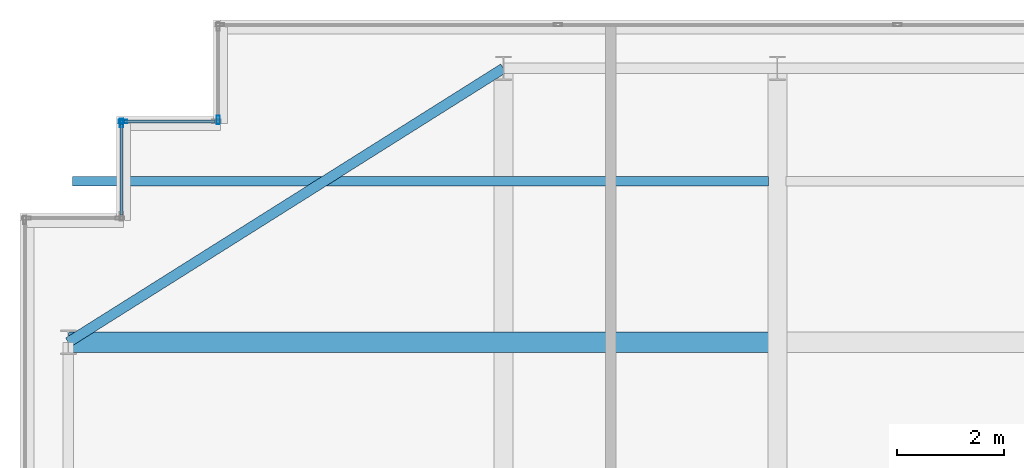
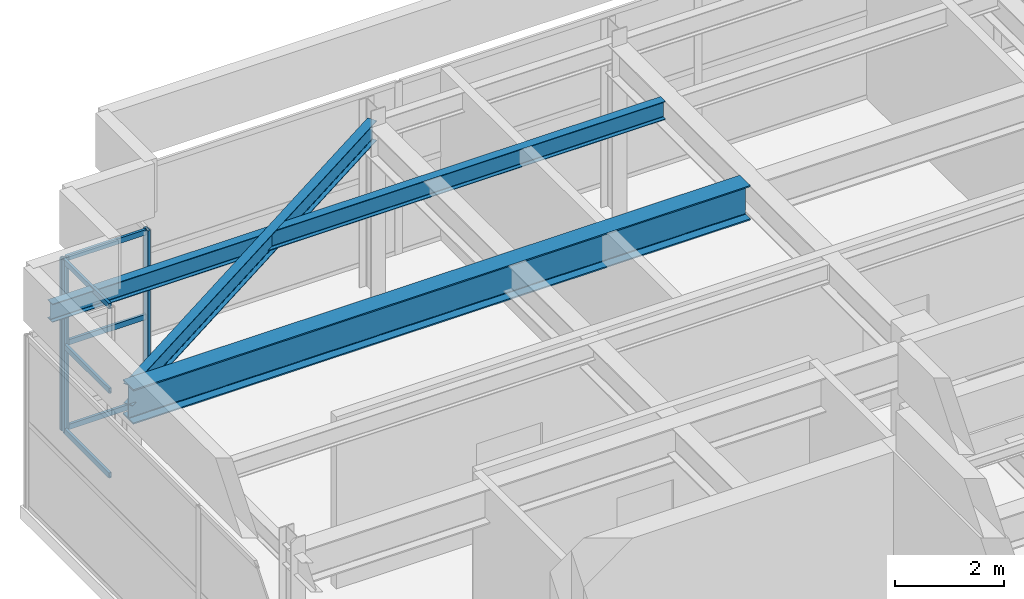
# One storey, part 21 of 33: 9 members, 3 beams, 3 elements without a shape of their own.
"""IFC4 building model written with IfcOpenShell, lengths in metres."""

from ifc_helpers import new_model, si_unit, direction, frame, origin, origin_2d, place, context, subcontext, project, spatial, hollow_rectangle, i_section, extrude, source, transform, mapped, material, layer, layer_set, material_profile, profile_set, type_object, element, aggregate, save


model = new_model("IFC4")

# Units and contexts
model_context = context("Model", 3, precision=1e-05, world=origin(), true_north=direction((0.0, 1.0)))
body_context = subcontext(model_context, "Body", "Model", "MODEL_VIEW")
ifc_project = project(units=[si_unit("LENGTHUNIT", "METRE"), si_unit("AREAUNIT", "SQUARE_METRE"), si_unit("VOLUMEUNIT", "CUBIC_METRE"), si_unit("PLANEANGLEUNIT", "RADIAN"), si_unit("MASSUNIT", "GRAM", prefix="KILO")], contexts=[model_context])

# Site, building, storey
site_placement = place(None, origin())
site = spatial("IfcSite", under=ifc_project, at=site_placement, CompositionType="ELEMENT")
building_placement = place(site_placement, origin())
building = spatial("IfcBuilding", under=site, at=building_placement, Name="Khoralis Quay Care Tower", CompositionType="ELEMENT")
storey_placement = place(building_placement, frame((0.0, 0.0, 314.699951171875)))
storey = spatial("IfcBuildingStorey", under=building, at=storey_placement, Name="L82", CompositionType="ELEMENT", Elevation=314.699951171875)

# Beams
ifc_material_1 = material(Name="Steel S355", Category="steel")
ifc_material_profile_1 = material_profile(ifc_material_1, i_section(OverallWidth=0.18994140625, OverallDepth=0.449951171875, WebThickness=0.009521484375, FlangeThickness=0.0146484375, FilletRadius=0.02099609375, at=origin_2d()), Name="Steel S355")
ifc_profile_set_1 = profile_set([ifc_material_profile_1], Name="Steel S355")
beam_type_1 = type_object("IfcBeamType", Name="BM-IPE450", PredefinedType="SPANDREL", material=ifc_profile_set_1)
shared_shape_1 = source(origin(), body_context, "Body", "SweptSolid", [
    extrude(i_section(OverallWidth=0.18994140625, OverallDepth=0.449951171875, WebThickness=0.009521484375, FlangeThickness=0.0146484375, FilletRadius=0.02099609375, at=origin_2d()), origin(), (0.0, 0.0, 1.0), 9.572021484375),
])
beam_1_placement = place(storey_placement, frame((12.0, 41.10009765625, 3.614990234375), z_axis=(-0.846231136359, -0.532815975602, 0.0), x_axis=(0.532815975602, -0.846231136359, 0.0)))
element("IfcBeam", 1, at=beam_1_placement, inside=storey, type_object=beam_type_1, Name="BM-TCR-L82-19", PredefinedType="SPANDREL", context=body_context, shape_type="MappedRepresentation", body=[
    mapped(shared_shape_1, transform((0.0, 0.0, 0.0), scale=1.0)),
])
ifc_material_profile_2 = material_profile(ifc_material_1, i_section(OverallWidth=0.381103515625, OverallDepth=0.77294921875, WebThickness=0.0166015625, FlangeThickness=0.027587890625, FilletRadius=0.02197265625, at=origin_2d()), Name="Steel S355")
ifc_profile_set_2 = profile_set([ifc_material_profile_2], Name="Steel S355")
beam_type_2 = type_object("IfcBeamType", Name="BM-W760X257", PredefinedType="BEAM", material=ifc_profile_set_2)
shared_shape_2 = source(origin(), body_context, "Body", "SweptSolid", [
    extrude(i_section(OverallWidth=0.381103515625, OverallDepth=0.77294921875, WebThickness=0.0166015625, FlangeThickness=0.027587890625, FilletRadius=0.02197265625, at=origin_2d()), origin(), (0.0, 0.0, 1.0), 13.03466796875),
])
beam_2_placement = place(storey_placement, frame((3.89990234375, 36.0, 3.45361328125), z_axis=(1.0, 0.0, 0.0), x_axis=(0.0, 1.0, 0.0)))
element("IfcBeam", 2, at=beam_2_placement, inside=storey, type_object=beam_type_2, Name="BM-TGXW-L82-360", PredefinedType="BEAM", context=body_context, shape_type="MappedRepresentation", body=[
    mapped(shared_shape_2, transform((0.0, 0.0, 0.0), scale=1.0)),
])
ifc_material_profile_3 = material_profile(ifc_material_1, i_section(OverallWidth=0.177978515625, OverallDepth=0.406982421875, WebThickness=0.0078125, FlangeThickness=0.0126953125, FilletRadius=0.012939453125, at=origin_2d()), Name="Steel S355")
ifc_profile_set_3 = profile_set([ifc_material_profile_3], Name="Steel S355")
beam_type_3 = type_object("IfcBeamType", Name="BM-W410X60", PredefinedType="JOIST", material=ifc_profile_set_3)
shared_shape_3 = source(origin(), body_context, "Body", "SweptSolid", [
    extrude(i_section(OverallWidth=0.177978515625, OverallDepth=0.406982421875, WebThickness=0.0078125, FlangeThickness=0.0126953125, FilletRadius=0.012939453125, at=origin_2d()), origin(), (0.0, 0.0, 1.0), 12.95361328125),
])
beam_3_placement = place(storey_placement, frame((3.98095703125, 39.0, 3.636474609375), z_axis=(1.0, 0.0, 0.0), x_axis=(0.0, 1.0, 0.0)))
element("IfcBeam", 3, at=beam_3_placement, inside=storey, type_object=beam_type_3, Name="BM-TJS-L82-27", PredefinedType="JOIST", context=body_context, shape_type="MappedRepresentation", body=[
    mapped(shared_shape_3, transform((0.0, 0.0, 0.0), scale=1.0)),
])

# Curtain wall, members
ifc_material_2 = material(Name="Pale anodised aluminium", Category="aluminium")
ifc_layer = layer(ifc_material_2, 0.199951171875)
ifc_layer_set = layer_set([ifc_layer], Name="Pale anodised aluminium")
curtain_wall_type = type_object("IfcCurtainWallType", Name="CW-SYS-LANTERN", PredefinedType="NOTDEFINED", material=ifc_layer_set)
curtain_wall_1_placement = place(storey_placement, origin())
curtain_wall_1 = element("IfcCurtainWall", 4, at=curtain_wall_1_placement, inside=storey, type_object=curtain_wall_type, Name="L82 Unitised Curtain Wall CW-LN-L82-13", PredefinedType="NOTDEFINED")
ifc_material_profile_4 = material_profile(ifc_material_2, hollow_rectangle(XDim=0.054931640625, YDim=0.1201171875, WallThickness=0.00390625, at=origin_2d()), Name="Pale anodised aluminium")
ifc_profile_set_4 = profile_set([ifc_material_profile_4], Name="Pale anodised aluminium")
member_type_1 = type_object("IfcMemberType", Name="CW-TRN-120", PredefinedType="USERDEFINED", material=ifc_profile_set_4)
shared_shape_4 = source(origin(), body_context, "Body", "SweptSolid", [
    extrude(hollow_rectangle(XDim=0.054931640625, YDim=0.1201171875, WallThickness=0.00390625, at=origin_2d()), origin(), (0.0, 0.0, 1.0), 1.679931640625),
])
member_1_placement = place(storey_placement, frame((6.6298828125, 40.110107421875, 0.030029296875), z_axis=(-1.0, 0.0, 0.0), x_axis=(0.0, -1.0, 0.0)))
member_1 = element("IfcMember", 5, at=member_1_placement, type_object=member_type_1, Name="CW5 transom 1.1", ObjectType="TRANSOM", PredefinedType="USERDEFINED", context=body_context, shape_type="MappedRepresentation", body=[
    mapped(shared_shape_4, transform((0.0, 0.0, 0.0), scale=1.0)),
])
member_2_placement = place(storey_placement, frame((6.6298828125, 40.110107421875, 1.920166015625), z_axis=(-1.0, 0.0, 0.0), x_axis=(0.0, -1.0, 0.0)))
member_2 = element("IfcMember", 6, at=member_2_placement, type_object=member_type_1, Name="CW5 transom 1.2", ObjectType="TRANSOM", PredefinedType="USERDEFINED", context=body_context, shape_type="MappedRepresentation", body=[
    mapped(shared_shape_4, transform((0.0, 0.0, 0.0), scale=1.0)),
])
member_3_placement = place(storey_placement, frame((6.6298828125, 40.110107421875, 3.81005859375), z_axis=(-1.0, 0.0, 0.0), x_axis=(0.0, -1.0, 0.0)))
member_3 = element("IfcMember", 7, at=member_3_placement, type_object=member_type_1, Name="CW5 transom 1.3", ObjectType="TRANSOM", PredefinedType="USERDEFINED", context=body_context, shape_type="MappedRepresentation", body=[
    mapped(shared_shape_4, transform((0.0, 0.0, 0.0), scale=1.0)),
])

curtain_wall_2_placement = place(storey_placement, origin())
curtain_wall_2 = element("IfcCurtainWall", 8, at=curtain_wall_2_placement, inside=storey, type_object=curtain_wall_type, Name="L82 Unitised Curtain Wall CW-LN-L82-14", PredefinedType="NOTDEFINED")
member_4_placement = place(storey_placement, frame((4.889892578125, 40.050048828125, 0.030029296875), z_axis=(0.0, -1.0, 0.0), x_axis=(1.0, 0.0, 0.0)))
member_4 = element("IfcMember", 9, at=member_4_placement, type_object=member_type_1, Name="CW5 transom 1.1", ObjectType="TRANSOM", PredefinedType="USERDEFINED", context=body_context, shape_type="MappedRepresentation", body=[
    mapped(shared_shape_4, transform((0.0, 0.0, 0.0), scale=1.0)),
])
member_5_placement = place(storey_placement, frame((4.889892578125, 40.050048828125, 1.920166015625), z_axis=(0.0, -1.0, 0.0), x_axis=(1.0, 0.0, 0.0)))
member_5 = element("IfcMember", 10, at=member_5_placement, type_object=member_type_1, Name="CW5 transom 1.2", ObjectType="TRANSOM", PredefinedType="USERDEFINED", context=body_context, shape_type="MappedRepresentation", body=[
    mapped(shared_shape_4, transform((0.0, 0.0, 0.0), scale=1.0)),
])
member_6_placement = place(storey_placement, frame((4.889892578125, 40.050048828125, 3.81005859375), z_axis=(0.0, -1.0, 0.0), x_axis=(1.0, 0.0, 0.0)))
member_6 = element("IfcMember", 11, at=member_6_placement, type_object=member_type_1, Name="CW5 transom 1.3", ObjectType="TRANSOM", PredefinedType="USERDEFINED", context=body_context, shape_type="MappedRepresentation", body=[
    mapped(shared_shape_4, transform((0.0, 0.0, 0.0), scale=1.0)),
])

# Curtain wall, member
curtain_wall_3_placement = place(storey_placement, origin())
curtain_wall_3 = element("IfcCurtainWall", 12, at=curtain_wall_3_placement, inside=storey, type_object=curtain_wall_type, Name="L82 Unitised Curtain Wall CW-LN-L82-12", PredefinedType="NOTDEFINED")
ifc_material_profile_5 = material_profile(ifc_material_2, hollow_rectangle(XDim=0.06005859375, YDim=0.159912109375, WallThickness=0.00390625, at=origin_2d()), Name="Pale anodised aluminium")
ifc_profile_set_5 = profile_set([ifc_material_profile_5], Name="Pale anodised aluminium")
member_type_2 = type_object("IfcMemberType", Name="CW-MUL-160", PredefinedType="MULLION", material=ifc_profile_set_5)
shared_shape_5 = source(origin(), body_context, "Body", "SweptSolid", [
    extrude(hollow_rectangle(XDim=0.06005859375, YDim=0.159912109375, WallThickness=0.00390625, at=origin_2d()), origin(), (0.0, 0.0, 1.0), 3.840087890625),
])
member_7_placement = place(storey_placement, frame((6.68994140625, 40.139892578125, 0.0), z_axis=(0.0, 0.0, 1.0), x_axis=(1.0, 0.0, 0.0)))
member_7 = element("IfcMember", 13, at=member_7_placement, type_object=member_type_2, Name="CW5 mullion 2", PredefinedType="MULLION", context=body_context, shape_type="MappedRepresentation", body=[
    mapped(shared_shape_5, transform((0.0, 0.0, 0.0), scale=1.0)),
])
aggregate(curtain_wall_3, [member_7])

# Member
member_8_placement = place(storey_placement, frame((4.919921875, 40.110107421875, 0.0), z_axis=(0.0, 0.0, 1.0), x_axis=(0.0, -1.0, 0.0)))
member_8 = element("IfcMember", 14, at=member_8_placement, type_object=member_type_2, Name="CW5 mullion 2", PredefinedType="MULLION", context=body_context, shape_type="MappedRepresentation", body=[
    mapped(shared_shape_5, transform((0.0, 0.0, 0.0), scale=1.0)),
])

aggregate(curtain_wall_1, [member_8, member_1, member_2, member_3])

member_9_placement = place(storey_placement, frame((4.889892578125, 40.080078125, 0.0), z_axis=(0.0, 0.0, 1.0), x_axis=(1.0, 0.0, 0.0)))
member_9 = element("IfcMember", 15, at=member_9_placement, type_object=member_type_2, Name="CW5 mullion 1", PredefinedType="MULLION", context=body_context, shape_type="MappedRepresentation", body=[
    mapped(shared_shape_5, transform((0.0, 0.0, 0.0), scale=1.0)),
])

aggregate(curtain_wall_2, [member_9, member_4, member_5, member_6])

save(model, "model.ifc")
